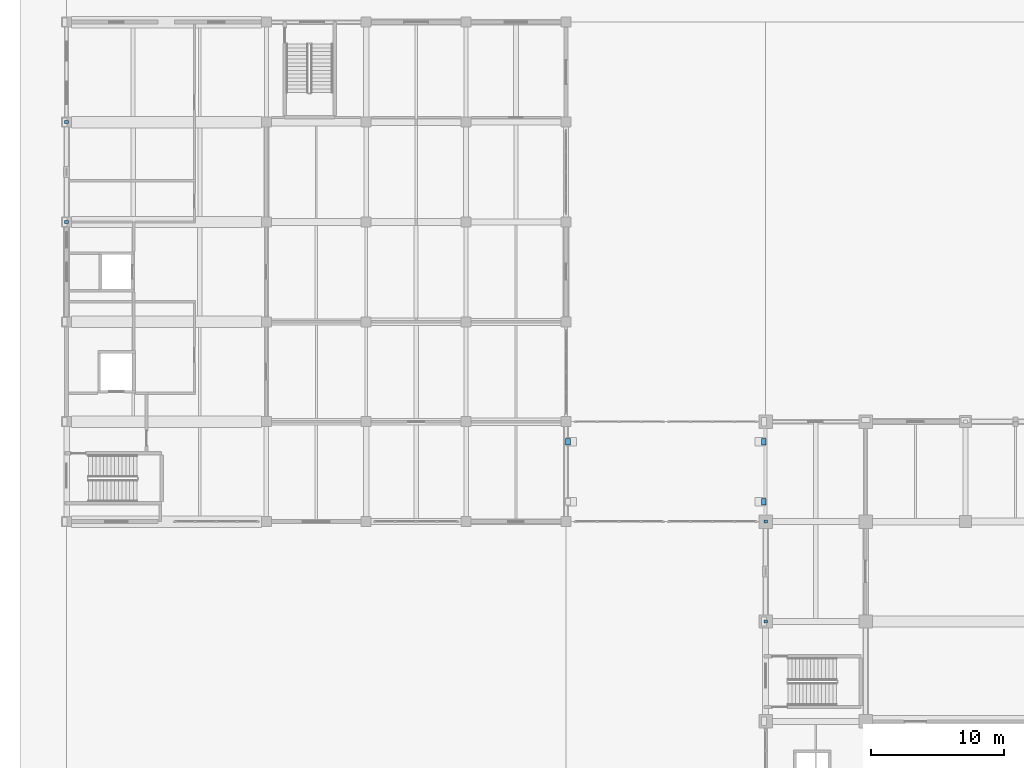
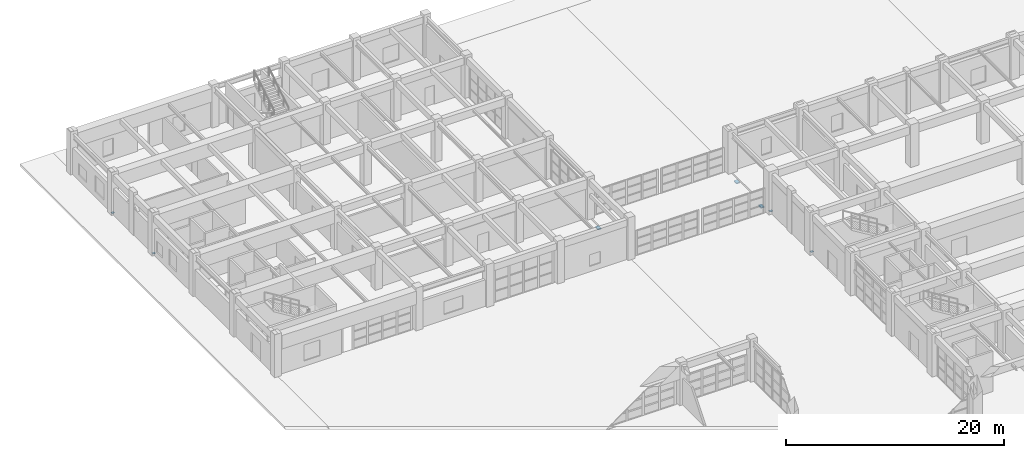
# One storey, part 100 of 122: 7 discrete accessories.
"""IFC4 building model written with IfcOpenShell, lengths in metres."""

from ifc_helpers import new_model, si_unit, direction, frame, origin, origin_2d, place, context, subcontext, project, spatial, rectangle, extrude, material, type_object, element, save


model = new_model("IFC4")

# Units and contexts
model_context = context("Model", 3, precision=1e-05, world=origin(), true_north=direction((0.0, 1.0)))
body_context = subcontext(model_context, "Body", "Model", "MODEL_VIEW")
ifc_project = project(units=[si_unit("LENGTHUNIT", "METRE"), si_unit("AREAUNIT", "SQUARE_METRE"), si_unit("VOLUMEUNIT", "CUBIC_METRE"), si_unit("PLANEANGLEUNIT", "RADIAN"), si_unit("MASSUNIT", "GRAM", prefix="KILO")], contexts=[model_context])

# Site, building, storey
site_placement = place(None, origin())
site = spatial("IfcSite", under=ifc_project, at=site_placement, CompositionType="ELEMENT")
building_placement = place(site_placement, origin())
building = spatial("IfcBuilding", under=site, at=building_placement, Name="Qasida Concert Hall", CompositionType="ELEMENT")
storey_placement = place(building_placement, origin())
storey = spatial("IfcBuildingStorey", under=building, at=storey_placement, Name="L00", CompositionType="ELEMENT", Elevation=0.0)

# Discrete accessories
ifc_material = material(Name="Steel S355J2", Category="steel")
discrete_accessory_type_1 = type_object("IfcDiscreteAccessoryType", Name="ACC-CONN-S355", PredefinedType="BRACKET", material=ifc_material)
for number, where, z_axis, x_axis, name in (
    (1, (52.5, 67.5, -0.011962890625), (0.0, 0.0, 1.0), (1.0, 0.0, 0.0), "Steel brace/strut end connection CN-0180"),
    (2, (52.5, 75.0, -0.011962890625), (0.0, 0.0, 1.0), (1.0, 0.0, 0.0), "Steel brace/strut end connection CN-0181"),
    (3, (0.0, 97.5, -0.011962890625), (0.0, 0.0, 1.0), (1.0, 0.0, 0.0), "Steel brace/strut end connection CN-0236"),
    (4, (0.0, 105.0, -0.011962890625), (0.0, 0.0, 1.0), (1.0, 0.0, 0.0), "Steel brace/strut end connection CN-0237"),
):
    element("IfcDiscreteAccessory", number, at=place(storey_placement, frame(where, z_axis=z_axis, x_axis=x_axis)), inside=storey, type_object=discrete_accessory_type_1, Name=name, PredefinedType="BRACKET", context=body_context, shape_type="SweptSolid", body=[
        extrude(rectangle(XDim=0.280029296875, YDim=0.239990234375, at=origin_2d()), origin(), (0.0, 0.0, 1.0), 0.02392578125),
    ])
discrete_accessory_type_2 = type_object("IfcDiscreteAccessoryType", Name="ACC-PTFE-SLIDE", PredefinedType="BRACKET", material=ifc_material)
for number, where, z_axis, x_axis, name in (
    (5, (37.64990234375, 81.0, -0.400146484375), (0.0, 0.0, 1.0), (1.0, 0.0, 0.0), "Seismic sliding bearing SB-PTFE-018"),
    (6, (52.35009765625, 76.5, -0.400146484375), (0.0, 0.0, 1.0), (1.0, 0.0, 0.0), "Seismic sliding bearing SB-PTFE-019"),
    (7, (52.35009765625, 81.0, -0.400146484375), (0.0, 0.0, 1.0), (1.0, 0.0, 0.0), "Seismic sliding bearing SB-PTFE-020"),
):
    element("IfcDiscreteAccessory", number, at=place(storey_placement, frame(where, z_axis=z_axis, x_axis=x_axis)), inside=storey, type_object=discrete_accessory_type_2, Name=name, PredefinedType="BRACKET", context=body_context, shape_type="SweptSolid", body=[
        extrude(rectangle(XDim=0.35009765625, YDim=0.5, at=origin_2d()), origin(), (0.0, 0.0, 1.0), 0.1201171875),
    ])

save(model, "model.ifc")
